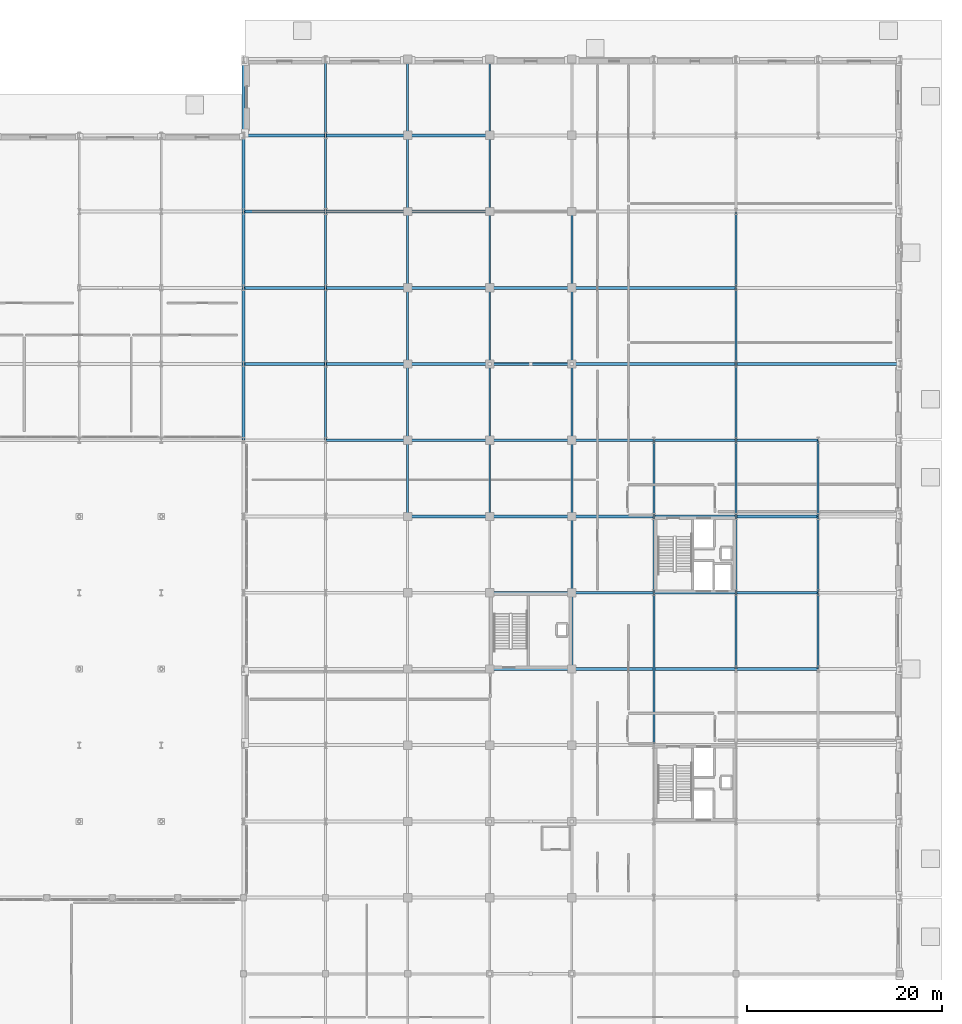
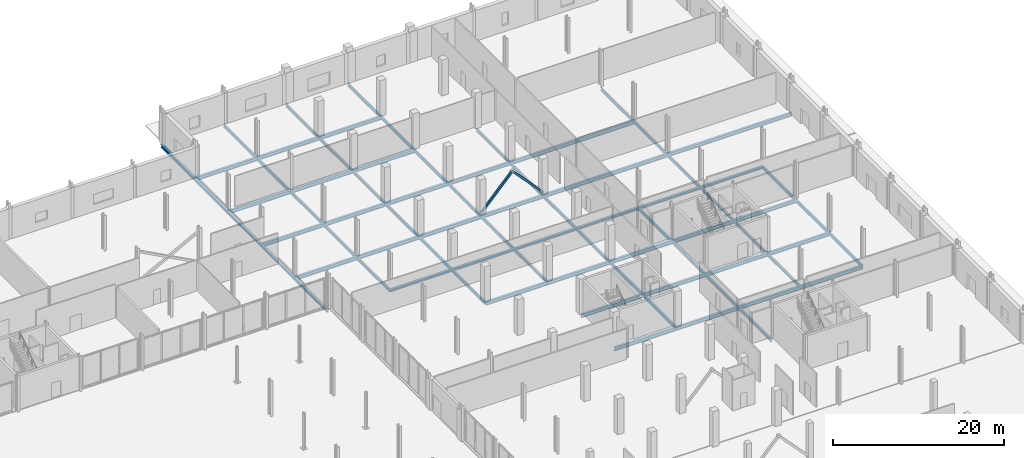
# One storey, part 39 of 80: 75 beams, 2 members.
"""IFC4 building model written with IfcOpenShell, lengths in metres."""

from ifc_helpers import new_model, si_unit, direction, frame, origin, origin_2d, place, context, subcontext, project, spatial, hollow_rectangle, i_section, extrude, material, material_profile, profile_set, type_object, element, save


model = new_model("IFC4")

# Units and contexts
model_context = context("Model", 3, precision=1e-05, world=origin(), true_north=direction((0.0, 1.0)))
body_context = subcontext(model_context, "Body", "Model", "MODEL_VIEW")
ifc_project = project(units=[si_unit("LENGTHUNIT", "METRE"), si_unit("AREAUNIT", "SQUARE_METRE"), si_unit("VOLUMEUNIT", "CUBIC_METRE"), si_unit("PLANEANGLEUNIT", "RADIAN"), si_unit("MASSUNIT", "GRAM", prefix="KILO")], contexts=[model_context])

# Site, building, storey
site_placement = place(None, origin())
site = spatial("IfcSite", under=ifc_project, at=site_placement, CompositionType="ELEMENT")
building_placement = place(site_placement, origin())
building = spatial("IfcBuilding", under=site, at=building_placement, Name="Nabrawat Pavilion Hospital", CompositionType="ELEMENT")
storey_placement = place(building_placement, origin())
storey = spatial("IfcBuildingStorey", under=building, at=storey_placement, Name="L00", CompositionType="ELEMENT", Elevation=0.0)

# Members
ifc_material = material(Name="Steel S355", Category="steel")
ifc_material_profile_1 = material_profile(ifc_material, hollow_rectangle(XDim=0.25, YDim=0.25, WallThickness=0.012451171875, at=origin_2d()), Name="SHS 250x250x12.5")
ifc_profile_set_1 = profile_set([ifc_material_profile_1], Name="Steel S355")
member_type = type_object("IfcMemberType", Name="Lower Seismic Chevron Brace SHS 250x250x12.5", PredefinedType="BRACE", material=ifc_profile_set_1)
for number, where, z_axis, x_axis, name in (
    (1, (151.199951171875, 93.60009765625, 0.050048828125), (0.682314010889, 0.0, 0.73105922506), (0.0, 1.0, 0.0), "L00 Seismic Concentric Chevron Brace 067"),
    (2, (159.60009765625, 93.60009765625, 0.050048828125), (-0.682335207557, 0.0, 0.731039441158), (0.0, -1.0, 0.0), "L00 Seismic Concentric Chevron Brace 068"),
):
    element("IfcMember", number, at=place(storey_placement, frame(where, z_axis=z_axis, x_axis=x_axis)), inside=storey, type_object=member_type, Name=name, PredefinedType="BRACE", context=body_context, shape_type="SweptSolid", body=[
        extrude(hollow_rectangle(XDim=0.25, YDim=0.25, WallThickness=0.012451171875, at=origin_2d()), origin(), (0.0, 0.0, 1.0), 6.155517578125),
    ])

# Beams
ifc_material_profile_2 = material_profile(ifc_material, i_section(OverallWidth=0.300048828125, OverallDepth=0.389892578125, WebThickness=0.010986328125, FlangeThickness=0.01904296875, FilletRadius=0.027099609375, at=origin_2d()), Name="HEA 400")
ifc_profile_set_2 = profile_set([ifc_material_profile_2], Name="Steel S355")
beam_type_1 = type_object("IfcBeamType", Name="Perimeter Moment Spandrel Beam HEA 400", PredefinedType="SPANDREL", material=ifc_profile_set_2)
beam_1_placement = place(storey_placement, frame((126.0, 85.820068359375, -0.47509765625), z_axis=(0.0, 1.0, 0.0), x_axis=(-1.0, 0.0, 0.0)))
element("IfcBeam", 3, at=beam_1_placement, inside=storey, type_object=beam_type_1, Name="L00 Primary Y Beam 331", PredefinedType="SPANDREL", context=body_context, shape_type="SweptSolid", body=[
    extrude(i_section(OverallWidth=0.300048828125, OverallDepth=0.389892578125, WebThickness=0.010986328125, FlangeThickness=0.01904296875, FilletRadius=0.027099609375, at=origin_2d()), origin(), (0.0, 0.0, 1.0), 7.760009765625),
])
beam_2_placement = place(storey_placement, frame((126.0, 93.6201171875, -0.47509765625), z_axis=(0.0, 1.0, 0.0), x_axis=(-1.0, 0.0, 0.0)))
element("IfcBeam", 4, at=beam_2_placement, inside=storey, type_object=beam_type_1, Name="L00 Primary Y Beam 332", PredefinedType="SPANDREL", context=body_context, shape_type="SweptSolid", body=[
    extrude(i_section(OverallWidth=0.300048828125, OverallDepth=0.389892578125, WebThickness=0.010986328125, FlangeThickness=0.01904296875, FilletRadius=0.027099609375, at=origin_2d()), origin(), (0.0, 0.0, 1.0), 7.759765625),
])
for number, where, z_axis, x_axis, name in (
    (5, (126.0, 101.419921875, -0.47509765625), (0.0, 1.0, 0.0), (-1.0, 0.0, 0.0), "L00 Primary Y Beam 333"),
    (6, (126.0, 109.219970703125, -0.47509765625), (0.0, 1.0, 0.0), (-1.0, 0.0, 0.0), "L00 Primary Y Beam 334"),
    (7, (126.0, 117.02001953125, -0.445068359375), (0.0, 1.0, 0.0), (-1.0, 0.0, 0.0), "L00 Primary Y Beam 335"),
):
    element("IfcBeam", number, at=place(storey_placement, frame(where, z_axis=z_axis, x_axis=x_axis)), inside=storey, type_object=beam_type_1, Name=name, PredefinedType="SPANDREL", context=body_context, shape_type="SweptSolid", body=[
        extrude(i_section(OverallWidth=0.300048828125, OverallDepth=0.389892578125, WebThickness=0.010986328125, FlangeThickness=0.01904296875, FilletRadius=0.027099609375, at=origin_2d()), origin(), (0.0, 0.0, 1.0), 7.760009765625),
    ])
ifc_material_profile_3 = material_profile(ifc_material, i_section(OverallWidth=0.300048828125, OverallDepth=0.5, WebThickness=0.014404296875, FlangeThickness=0.028076171875, FilletRadius=0.027099609375, at=origin_2d()), Name="HEB 500")
ifc_profile_set_3 = profile_set([ifc_material_profile_3], Name="Steel S355")
beam_type_2 = type_object("IfcBeamType", Name="Primary Floor Girder HEB 500", PredefinedType="USERDEFINED", material=ifc_profile_set_3)
beam_3_placement = place(storey_placement, frame((151.219970703125, 62.39990234375, -0.5), z_axis=(1.0, 0.0, 0.0), x_axis=(0.0, 1.0, 0.0)))
element("IfcBeam", 8, at=beam_3_placement, inside=storey, type_object=beam_type_2, Name="L00 Primary X Girder 117", ObjectType="GIRDER", PredefinedType="USERDEFINED", context=body_context, shape_type="SweptSolid", body=[
    extrude(i_section(OverallWidth=0.300048828125, OverallDepth=0.5, WebThickness=0.014404296875, FlangeThickness=0.028076171875, FilletRadius=0.027099609375, at=origin_2d()), origin(), (0.0, 0.0, 1.0), 8.360107421875),
])
beam_4_placement = place(storey_placement, frame((159.6201171875, 62.39990234375, -0.5), z_axis=(1.0, 0.0, 0.0), x_axis=(0.0, 1.0, 0.0)))
element("IfcBeam", 9, at=beam_4_placement, inside=storey, type_object=beam_type_2, Name="L00 Primary X Girder 118", ObjectType="GIRDER", PredefinedType="USERDEFINED", context=body_context, shape_type="SweptSolid", body=[
    extrude(i_section(OverallWidth=0.300048828125, OverallDepth=0.5, WebThickness=0.014404296875, FlangeThickness=0.028076171875, FilletRadius=0.027099609375, at=origin_2d()), origin(), (0.0, 0.0, 1.0), 16.759765625),
])
for number, where, z_axis, x_axis, name in (
    (10, (176.419921875, 62.39990234375, -0.5), (1.0, 0.0, 0.0), (0.0, 1.0, 0.0), "L00 Primary X Girder 119"),
    (11, (151.219970703125, 70.199951171875, -0.5), (1.0, 0.0, 0.0), (0.0, 1.0, 0.0), "L00 Primary X Girder 126"),
):
    element("IfcBeam", number, at=place(storey_placement, frame(where, z_axis=z_axis, x_axis=x_axis)), inside=storey, type_object=beam_type_2, Name=name, ObjectType="GIRDER", PredefinedType="USERDEFINED", context=body_context, shape_type="SweptSolid", body=[
        extrude(i_section(OverallWidth=0.300048828125, OverallDepth=0.5, WebThickness=0.014404296875, FlangeThickness=0.028076171875, FilletRadius=0.027099609375, at=origin_2d()), origin(), (0.0, 0.0, 1.0), 8.360107421875),
    ])
for number, where, z_axis, x_axis, name in (
    (12, (159.6201171875, 70.199951171875, -0.5), (1.0, 0.0, 0.0), (0.0, 1.0, 0.0), "L00 Primary X Girder 127"),
    (13, (168.02001953125, 70.199951171875, -0.5), (1.0, 0.0, 0.0), (0.0, 1.0, 0.0), "L00 Primary X Girder 128"),
):
    element("IfcBeam", number, at=place(storey_placement, frame(where, z_axis=z_axis, x_axis=x_axis)), inside=storey, type_object=beam_type_2, Name=name, ObjectType="GIRDER", PredefinedType="USERDEFINED", context=body_context, shape_type="SweptSolid", body=[
        extrude(i_section(OverallWidth=0.300048828125, OverallDepth=0.5, WebThickness=0.014404296875, FlangeThickness=0.028076171875, FilletRadius=0.027099609375, at=origin_2d()), origin(), (0.0, 0.0, 1.0), 8.35986328125),
    ])
beam_5_placement = place(storey_placement, frame((176.419921875, 70.199951171875, -0.5), z_axis=(1.0, 0.0, 0.0), x_axis=(0.0, 1.0, 0.0)))
element("IfcBeam", 14, at=beam_5_placement, inside=storey, type_object=beam_type_2, Name="L00 Primary X Girder 129", ObjectType="GIRDER", PredefinedType="USERDEFINED", context=body_context, shape_type="SweptSolid", body=[
    extrude(i_section(OverallWidth=0.300048828125, OverallDepth=0.5, WebThickness=0.014404296875, FlangeThickness=0.028076171875, FilletRadius=0.027099609375, at=origin_2d()), origin(), (0.0, 0.0, 1.0), 8.360107421875),
])
beam_6_placement = place(storey_placement, frame((142.820068359375, 78.0, -0.5), z_axis=(1.0, 0.0, 0.0), x_axis=(0.0, 1.0, 0.0)))
element("IfcBeam", 15, at=beam_6_placement, inside=storey, type_object=beam_type_2, Name="L00 Primary X Girder 135", ObjectType="GIRDER", PredefinedType="USERDEFINED", context=body_context, shape_type="SweptSolid", body=[
    extrude(i_section(OverallWidth=0.300048828125, OverallDepth=0.5, WebThickness=0.014404296875, FlangeThickness=0.028076171875, FilletRadius=0.027099609375, at=origin_2d()), origin(), (0.0, 0.0, 1.0), 8.35986328125),
])
beam_7_placement = place(storey_placement, frame((151.219970703125, 78.0, -0.5), z_axis=(1.0, 0.0, 0.0), x_axis=(0.0, 1.0, 0.0)))
element("IfcBeam", 16, at=beam_7_placement, inside=storey, type_object=beam_type_2, Name="L00 Primary X Girder 136", ObjectType="GIRDER", PredefinedType="USERDEFINED", context=body_context, shape_type="SweptSolid", body=[
    extrude(i_section(OverallWidth=0.300048828125, OverallDepth=0.5, WebThickness=0.014404296875, FlangeThickness=0.028076171875, FilletRadius=0.027099609375, at=origin_2d()), origin(), (0.0, 0.0, 1.0), 8.360107421875),
])
for number, where, z_axis, x_axis, name in (
    (17, (159.6201171875, 78.0, -0.5), (1.0, 0.0, 0.0), (0.0, 1.0, 0.0), "L00 Primary X Girder 137"),
    (18, (168.02001953125, 78.0, -0.5), (1.0, 0.0, 0.0), (0.0, 1.0, 0.0), "L00 Primary X Girder 138"),
):
    element("IfcBeam", number, at=place(storey_placement, frame(where, z_axis=z_axis, x_axis=x_axis)), inside=storey, type_object=beam_type_2, Name=name, ObjectType="GIRDER", PredefinedType="USERDEFINED", context=body_context, shape_type="SweptSolid", body=[
        extrude(i_section(OverallWidth=0.300048828125, OverallDepth=0.5, WebThickness=0.014404296875, FlangeThickness=0.028076171875, FilletRadius=0.027099609375, at=origin_2d()), origin(), (0.0, 0.0, 1.0), 8.35986328125),
    ])
beam_8_placement = place(storey_placement, frame((176.419921875, 78.0, -0.5), z_axis=(1.0, 0.0, 0.0), x_axis=(0.0, 1.0, 0.0)))
element("IfcBeam", 19, at=beam_8_placement, inside=storey, type_object=beam_type_2, Name="L00 Primary X Girder 139", ObjectType="GIRDER", PredefinedType="USERDEFINED", context=body_context, shape_type="SweptSolid", body=[
    extrude(i_section(OverallWidth=0.300048828125, OverallDepth=0.5, WebThickness=0.014404296875, FlangeThickness=0.028076171875, FilletRadius=0.027099609375, at=origin_2d()), origin(), (0.0, 0.0, 1.0), 8.360107421875),
])
beam_9_placement = place(storey_placement, frame((126.02001953125, 93.60009765625, -0.5), z_axis=(1.0, 0.0, 0.0), x_axis=(0.0, 1.0, 0.0)))
element("IfcBeam", 20, at=beam_9_placement, inside=storey, type_object=beam_type_2, Name="L00 Primary X Girder 174", ObjectType="GIRDER", PredefinedType="USERDEFINED", context=body_context, shape_type="SweptSolid", body=[
    extrude(i_section(OverallWidth=0.300048828125, OverallDepth=0.5, WebThickness=0.014404296875, FlangeThickness=0.028076171875, FilletRadius=0.027099609375, at=origin_2d()), origin(), (0.0, 0.0, 1.0), 8.35986328125),
])
beam_10_placement = place(storey_placement, frame((134.419921875, 93.60009765625, -0.5), z_axis=(1.0, 0.0, 0.0), x_axis=(0.0, 1.0, 0.0)))
element("IfcBeam", 21, at=beam_10_placement, inside=storey, type_object=beam_type_2, Name="L00 Primary X Girder 175", ObjectType="GIRDER", PredefinedType="USERDEFINED", context=body_context, shape_type="SweptSolid", body=[
    extrude(i_section(OverallWidth=0.300048828125, OverallDepth=0.5, WebThickness=0.014404296875, FlangeThickness=0.028076171875, FilletRadius=0.027099609375, at=origin_2d()), origin(), (0.0, 0.0, 1.0), 8.360107421875),
])
beam_11_placement = place(storey_placement, frame((142.820068359375, 93.60009765625, -0.5), z_axis=(1.0, 0.0, 0.0), x_axis=(0.0, 1.0, 0.0)))
element("IfcBeam", 22, at=beam_11_placement, inside=storey, type_object=beam_type_2, Name="L00 Primary X Girder 176", ObjectType="GIRDER", PredefinedType="USERDEFINED", context=body_context, shape_type="SweptSolid", body=[
    extrude(i_section(OverallWidth=0.300048828125, OverallDepth=0.5, WebThickness=0.014404296875, FlangeThickness=0.028076171875, FilletRadius=0.027099609375, at=origin_2d()), origin(), (0.0, 0.0, 1.0), 8.35986328125),
])
beam_12_placement = place(storey_placement, frame((151.219970703125, 93.60009765625, -0.5), z_axis=(1.0, 0.0, 0.0), x_axis=(0.0, 1.0, 0.0)))
element("IfcBeam", 23, at=beam_12_placement, inside=storey, type_object=beam_type_2, Name="L00 Primary X Girder 177", ObjectType="GIRDER", PredefinedType="USERDEFINED", context=body_context, shape_type="SweptSolid", body=[
    extrude(i_section(OverallWidth=0.300048828125, OverallDepth=0.5, WebThickness=0.014404296875, FlangeThickness=0.028076171875, FilletRadius=0.027099609375, at=origin_2d()), origin(), (0.0, 0.0, 1.0), 8.360107421875),
])
beam_13_placement = place(storey_placement, frame((159.6201171875, 93.60009765625, -0.5), z_axis=(1.0, 0.0, 0.0), x_axis=(0.0, 1.0, 0.0)))
element("IfcBeam", 24, at=beam_13_placement, inside=storey, type_object=beam_type_2, Name="L00 Primary X Girder 178", ObjectType="GIRDER", PredefinedType="USERDEFINED", context=body_context, shape_type="SweptSolid", body=[
    extrude(i_section(OverallWidth=0.300048828125, OverallDepth=0.5, WebThickness=0.014404296875, FlangeThickness=0.028076171875, FilletRadius=0.027099609375, at=origin_2d()), origin(), (0.0, 0.0, 1.0), 16.759765625),
])
beam_14_placement = place(storey_placement, frame((176.419921875, 93.60009765625, -0.5), z_axis=(1.0, 0.0, 0.0), x_axis=(0.0, 1.0, 0.0)))
element("IfcBeam", 25, at=beam_14_placement, inside=storey, type_object=beam_type_2, Name="L00 Primary X Girder 179", ObjectType="GIRDER", PredefinedType="USERDEFINED", context=body_context, shape_type="SweptSolid", body=[
    extrude(i_section(OverallWidth=0.300048828125, OverallDepth=0.5, WebThickness=0.014404296875, FlangeThickness=0.028076171875, FilletRadius=0.027099609375, at=origin_2d()), origin(), (0.0, 0.0, 1.0), 16.760009765625),
])
beam_15_placement = place(storey_placement, frame((126.02001953125, 101.39990234375, -0.5), z_axis=(1.0, 0.0, 0.0), x_axis=(0.0, 1.0, 0.0)))
element("IfcBeam", 26, at=beam_15_placement, inside=storey, type_object=beam_type_2, Name="L00 Primary X Girder 187", ObjectType="GIRDER", PredefinedType="USERDEFINED", context=body_context, shape_type="SweptSolid", body=[
    extrude(i_section(OverallWidth=0.300048828125, OverallDepth=0.5, WebThickness=0.014404296875, FlangeThickness=0.028076171875, FilletRadius=0.027099609375, at=origin_2d()), origin(), (0.0, 0.0, 1.0), 8.35986328125),
])
beam_16_placement = place(storey_placement, frame((134.419921875, 101.39990234375, -0.5), z_axis=(1.0, 0.0, 0.0), x_axis=(0.0, 1.0, 0.0)))
element("IfcBeam", 27, at=beam_16_placement, inside=storey, type_object=beam_type_2, Name="L00 Primary X Girder 188", ObjectType="GIRDER", PredefinedType="USERDEFINED", context=body_context, shape_type="SweptSolid", body=[
    extrude(i_section(OverallWidth=0.300048828125, OverallDepth=0.5, WebThickness=0.014404296875, FlangeThickness=0.028076171875, FilletRadius=0.027099609375, at=origin_2d()), origin(), (0.0, 0.0, 1.0), 8.360107421875),
])
beam_17_placement = place(storey_placement, frame((142.820068359375, 101.39990234375, -0.5), z_axis=(1.0, 0.0, 0.0), x_axis=(0.0, 1.0, 0.0)))
element("IfcBeam", 28, at=beam_17_placement, inside=storey, type_object=beam_type_2, Name="L00 Primary X Girder 189", ObjectType="GIRDER", PredefinedType="USERDEFINED", context=body_context, shape_type="SweptSolid", body=[
    extrude(i_section(OverallWidth=0.300048828125, OverallDepth=0.5, WebThickness=0.014404296875, FlangeThickness=0.028076171875, FilletRadius=0.027099609375, at=origin_2d()), origin(), (0.0, 0.0, 1.0), 8.35986328125),
])
beam_18_placement = place(storey_placement, frame((151.219970703125, 101.39990234375, -0.5), z_axis=(1.0, 0.0, 0.0), x_axis=(0.0, 1.0, 0.0)))
element("IfcBeam", 29, at=beam_18_placement, inside=storey, type_object=beam_type_2, Name="L00 Primary X Girder 190", ObjectType="GIRDER", PredefinedType="USERDEFINED", context=body_context, shape_type="SweptSolid", body=[
    extrude(i_section(OverallWidth=0.300048828125, OverallDepth=0.5, WebThickness=0.014404296875, FlangeThickness=0.028076171875, FilletRadius=0.027099609375, at=origin_2d()), origin(), (0.0, 0.0, 1.0), 8.360107421875),
])
beam_19_placement = place(storey_placement, frame((159.6201171875, 101.39990234375, -0.5), z_axis=(1.0, 0.0, 0.0), x_axis=(0.0, 1.0, 0.0)))
element("IfcBeam", 30, at=beam_19_placement, inside=storey, type_object=beam_type_2, Name="L00 Primary X Girder 191", ObjectType="GIRDER", PredefinedType="USERDEFINED", context=body_context, shape_type="SweptSolid", body=[
    extrude(i_section(OverallWidth=0.300048828125, OverallDepth=0.5, WebThickness=0.014404296875, FlangeThickness=0.028076171875, FilletRadius=0.027099609375, at=origin_2d()), origin(), (0.0, 0.0, 1.0), 16.759765625),
])
beam_20_placement = place(storey_placement, frame((126.02001953125, 109.199951171875, -0.5), z_axis=(1.0, 0.0, 0.0), x_axis=(0.0, 1.0, 0.0)))
element("IfcBeam", 31, at=beam_20_placement, inside=storey, type_object=beam_type_2, Name="L00 Primary X Girder 199", ObjectType="GIRDER", PredefinedType="USERDEFINED", context=body_context, shape_type="SweptSolid", body=[
    extrude(i_section(OverallWidth=0.300048828125, OverallDepth=0.5, WebThickness=0.014404296875, FlangeThickness=0.028076171875, FilletRadius=0.027099609375, at=origin_2d()), origin(), (0.0, 0.0, 1.0), 8.35986328125),
])
beam_21_placement = place(storey_placement, frame((134.419921875, 109.199951171875, -0.5), z_axis=(1.0, 0.0, 0.0), x_axis=(0.0, 1.0, 0.0)))
element("IfcBeam", 32, at=beam_21_placement, inside=storey, type_object=beam_type_2, Name="L00 Primary X Girder 200", ObjectType="GIRDER", PredefinedType="USERDEFINED", context=body_context, shape_type="SweptSolid", body=[
    extrude(i_section(OverallWidth=0.300048828125, OverallDepth=0.5, WebThickness=0.014404296875, FlangeThickness=0.028076171875, FilletRadius=0.027099609375, at=origin_2d()), origin(), (0.0, 0.0, 1.0), 8.360107421875),
])
for number, where, z_axis, x_axis, name in (
    (33, (142.820068359375, 109.199951171875, -0.5), (1.0, 0.0, 0.0), (0.0, 1.0, 0.0), "L00 Primary X Girder 201"),
    (34, (126.02001953125, 117.0, -0.5), (1.0, 0.0, 0.0), (0.0, 1.0, 0.0), "L00 Primary X Girder 220"),
):
    element("IfcBeam", number, at=place(storey_placement, frame(where, z_axis=z_axis, x_axis=x_axis)), inside=storey, type_object=beam_type_2, Name=name, ObjectType="GIRDER", PredefinedType="USERDEFINED", context=body_context, shape_type="SweptSolid", body=[
        extrude(i_section(OverallWidth=0.300048828125, OverallDepth=0.5, WebThickness=0.014404296875, FlangeThickness=0.028076171875, FilletRadius=0.027099609375, at=origin_2d()), origin(), (0.0, 0.0, 1.0), 8.35986328125),
    ])
beam_22_placement = place(storey_placement, frame((134.419921875, 117.0, -0.5), z_axis=(1.0, 0.0, 0.0), x_axis=(0.0, 1.0, 0.0)))
element("IfcBeam", 35, at=beam_22_placement, inside=storey, type_object=beam_type_2, Name="L00 Primary X Girder 221", ObjectType="GIRDER", PredefinedType="USERDEFINED", context=body_context, shape_type="SweptSolid", body=[
    extrude(i_section(OverallWidth=0.300048828125, OverallDepth=0.5, WebThickness=0.014404296875, FlangeThickness=0.028076171875, FilletRadius=0.027099609375, at=origin_2d()), origin(), (0.0, 0.0, 1.0), 8.360107421875),
])
beam_23_placement = place(storey_placement, frame((142.820068359375, 117.0, -0.5), z_axis=(1.0, 0.0, 0.0), x_axis=(0.0, 1.0, 0.0)))
element("IfcBeam", 36, at=beam_23_placement, inside=storey, type_object=beam_type_2, Name="L00 Primary X Girder 222", ObjectType="GIRDER", PredefinedType="USERDEFINED", context=body_context, shape_type="SweptSolid", body=[
    extrude(i_section(OverallWidth=0.300048828125, OverallDepth=0.5, WebThickness=0.014404296875, FlangeThickness=0.028076171875, FilletRadius=0.027099609375, at=origin_2d()), origin(), (0.0, 0.0, 1.0), 8.35986328125),
])
ifc_material_profile_4 = material_profile(ifc_material, i_section(OverallWidth=0.18994140625, OverallDepth=0.449951171875, WebThickness=0.009521484375, FlangeThickness=0.0146484375, FilletRadius=0.02099609375, at=origin_2d()), Name="IPE 450")
ifc_profile_set_4 = profile_set([ifc_material_profile_4], Name="Steel S355")
beam_type_3 = type_object("IfcBeamType", Name="Primary Y Floor Beam IPE 450", PredefinedType="BEAM", material=ifc_profile_set_4)
beam_24_placement = place(storey_placement, frame((134.39990234375, 85.820068359375, -0.47509765625), z_axis=(0.0, 1.0, 0.0), x_axis=(-1.0, 0.0, 0.0)))
element("IfcBeam", 37, at=beam_24_placement, inside=storey, type_object=beam_type_3, Name="L00 Primary Y Beam 347", PredefinedType="BEAM", context=body_context, shape_type="SweptSolid", body=[
    extrude(i_section(OverallWidth=0.18994140625, OverallDepth=0.449951171875, WebThickness=0.009521484375, FlangeThickness=0.0146484375, FilletRadius=0.02099609375, at=origin_2d()), origin(), (0.0, 0.0, 1.0), 7.760009765625),
])
beam_25_placement = place(storey_placement, frame((134.39990234375, 93.6201171875, -0.47509765625), z_axis=(0.0, 1.0, 0.0), x_axis=(-1.0, 0.0, 0.0)))
element("IfcBeam", 38, at=beam_25_placement, inside=storey, type_object=beam_type_3, Name="L00 Primary Y Beam 348", PredefinedType="BEAM", context=body_context, shape_type="SweptSolid", body=[
    extrude(i_section(OverallWidth=0.18994140625, OverallDepth=0.449951171875, WebThickness=0.009521484375, FlangeThickness=0.0146484375, FilletRadius=0.02099609375, at=origin_2d()), origin(), (0.0, 0.0, 1.0), 7.759765625),
])
for number, where, z_axis, x_axis, name in (
    (39, (134.39990234375, 101.419921875, -0.47509765625), (0.0, 1.0, 0.0), (-1.0, 0.0, 0.0), "L00 Primary Y Beam 349"),
    (40, (134.39990234375, 109.219970703125, -0.47509765625), (0.0, 1.0, 0.0), (-1.0, 0.0, 0.0), "L00 Primary Y Beam 350"),
    (41, (134.39990234375, 117.02001953125, -0.47509765625), (0.0, 1.0, 0.0), (-1.0, 0.0, 0.0), "L00 Primary Y Beam 351"),
    (42, (142.800048828125, 78.02001953125, -0.47509765625), (0.0, 1.0, 0.0), (-1.0, 0.0, 0.0), "L00 Primary Y Beam 362"),
    (43, (142.800048828125, 85.820068359375, -0.47509765625), (0.0, 1.0, 0.0), (-1.0, 0.0, 0.0), "L00 Primary Y Beam 363"),
):
    element("IfcBeam", number, at=place(storey_placement, frame(where, z_axis=z_axis, x_axis=x_axis)), inside=storey, type_object=beam_type_3, Name=name, PredefinedType="BEAM", context=body_context, shape_type="SweptSolid", body=[
        extrude(i_section(OverallWidth=0.18994140625, OverallDepth=0.449951171875, WebThickness=0.009521484375, FlangeThickness=0.0146484375, FilletRadius=0.02099609375, at=origin_2d()), origin(), (0.0, 0.0, 1.0), 7.760009765625),
    ])
beam_26_placement = place(storey_placement, frame((142.800048828125, 93.6201171875, -0.47509765625), z_axis=(0.0, 1.0, 0.0), x_axis=(-1.0, 0.0, 0.0)))
element("IfcBeam", 44, at=beam_26_placement, inside=storey, type_object=beam_type_3, Name="L00 Primary Y Beam 364", PredefinedType="BEAM", context=body_context, shape_type="SweptSolid", body=[
    extrude(i_section(OverallWidth=0.18994140625, OverallDepth=0.449951171875, WebThickness=0.009521484375, FlangeThickness=0.0146484375, FilletRadius=0.02099609375, at=origin_2d()), origin(), (0.0, 0.0, 1.0), 7.759765625),
])
for number, where, z_axis, x_axis, name in (
    (45, (142.800048828125, 101.419921875, -0.47509765625), (0.0, 1.0, 0.0), (-1.0, 0.0, 0.0), "L00 Primary Y Beam 365"),
    (46, (142.800048828125, 109.219970703125, -0.47509765625), (0.0, 1.0, 0.0), (-1.0, 0.0, 0.0), "L00 Primary Y Beam 366"),
    (47, (142.800048828125, 117.02001953125, -0.47509765625), (0.0, 1.0, 0.0), (-1.0, 0.0, 0.0), "L00 Primary Y Beam 367"),
    (48, (151.199951171875, 78.02001953125, -0.47509765625), (0.0, 1.0, 0.0), (-1.0, 0.0, 0.0), "L00 Primary Y Beam 378"),
    (49, (151.199951171875, 85.820068359375, -0.47509765625), (0.0, 1.0, 0.0), (-1.0, 0.0, 0.0), "L00 Primary Y Beam 379"),
):
    element("IfcBeam", number, at=place(storey_placement, frame(where, z_axis=z_axis, x_axis=x_axis)), inside=storey, type_object=beam_type_3, Name=name, PredefinedType="BEAM", context=body_context, shape_type="SweptSolid", body=[
        extrude(i_section(OverallWidth=0.18994140625, OverallDepth=0.449951171875, WebThickness=0.009521484375, FlangeThickness=0.0146484375, FilletRadius=0.02099609375, at=origin_2d()), origin(), (0.0, 0.0, 1.0), 7.760009765625),
    ])
beam_27_placement = place(storey_placement, frame((151.199951171875, 93.6201171875, -0.47509765625), z_axis=(0.0, 1.0, 0.0), x_axis=(-1.0, 0.0, 0.0)))
element("IfcBeam", 50, at=beam_27_placement, inside=storey, type_object=beam_type_3, Name="L00 Primary Y Beam 380", PredefinedType="BEAM", context=body_context, shape_type="SweptSolid", body=[
    extrude(i_section(OverallWidth=0.18994140625, OverallDepth=0.449951171875, WebThickness=0.009521484375, FlangeThickness=0.0146484375, FilletRadius=0.02099609375, at=origin_2d()), origin(), (0.0, 0.0, 1.0), 7.759765625),
])
for number, where, z_axis, x_axis, name in (
    (51, (151.199951171875, 101.419921875, -0.47509765625), (0.0, 1.0, 0.0), (-1.0, 0.0, 0.0), "L00 Primary Y Beam 381"),
    (52, (151.199951171875, 109.219970703125, -0.47509765625), (0.0, 1.0, 0.0), (-1.0, 0.0, 0.0), "L00 Primary Y Beam 382"),
    (53, (151.199951171875, 117.02001953125, -0.47509765625), (0.0, 1.0, 0.0), (-1.0, 0.0, 0.0), "L00 Primary Y Beam 383"),
    (54, (159.60009765625, 62.419921875, -0.47509765625), (0.0, 1.0, 0.0), (-1.0, 0.0, 0.0), "L00 Primary Y Beam 392"),
    (55, (159.60009765625, 70.219970703125, -0.47509765625), (0.0, 1.0, 0.0), (-1.0, 0.0, 0.0), "L00 Primary Y Beam 393"),
    (56, (159.60009765625, 78.02001953125, -0.47509765625), (0.0, 1.0, 0.0), (-1.0, 0.0, 0.0), "L00 Primary Y Beam 394"),
    (57, (159.60009765625, 85.820068359375, -0.47509765625), (0.0, 1.0, 0.0), (-1.0, 0.0, 0.0), "L00 Primary Y Beam 395"),
):
    element("IfcBeam", number, at=place(storey_placement, frame(where, z_axis=z_axis, x_axis=x_axis)), inside=storey, type_object=beam_type_3, Name=name, PredefinedType="BEAM", context=body_context, shape_type="SweptSolid", body=[
        extrude(i_section(OverallWidth=0.18994140625, OverallDepth=0.449951171875, WebThickness=0.009521484375, FlangeThickness=0.0146484375, FilletRadius=0.02099609375, at=origin_2d()), origin(), (0.0, 0.0, 1.0), 7.760009765625),
    ])
beam_28_placement = place(storey_placement, frame((159.60009765625, 93.6201171875, -0.47509765625), z_axis=(0.0, 1.0, 0.0), x_axis=(-1.0, 0.0, 0.0)))
element("IfcBeam", 58, at=beam_28_placement, inside=storey, type_object=beam_type_3, Name="L00 Primary Y Beam 396", PredefinedType="BEAM", context=body_context, shape_type="SweptSolid", body=[
    extrude(i_section(OverallWidth=0.18994140625, OverallDepth=0.449951171875, WebThickness=0.009521484375, FlangeThickness=0.0146484375, FilletRadius=0.02099609375, at=origin_2d()), origin(), (0.0, 0.0, 1.0), 7.759765625),
])
beam_29_placement = place(storey_placement, frame((159.60009765625, 101.419921875, -0.47509765625), z_axis=(0.0, 1.0, 0.0), x_axis=(-1.0, 0.0, 0.0)))
element("IfcBeam", 59, at=beam_29_placement, inside=storey, type_object=beam_type_3, Name="L00 Primary Y Beam 397", PredefinedType="BEAM", context=body_context, shape_type="SweptSolid", body=[
    extrude(i_section(OverallWidth=0.18994140625, OverallDepth=0.449951171875, WebThickness=0.009521484375, FlangeThickness=0.0146484375, FilletRadius=0.02099609375, at=origin_2d()), origin(), (0.0, 0.0, 1.0), 7.760009765625),
])
beam_30_placement = place(storey_placement, frame((168.0, 54.6201171875, -0.47509765625), z_axis=(0.0, 1.0, 0.0), x_axis=(-1.0, 0.0, 0.0)))
element("IfcBeam", 60, at=beam_30_placement, inside=storey, type_object=beam_type_3, Name="L00 Primary Y Beam 405", PredefinedType="BEAM", context=body_context, shape_type="SweptSolid", body=[
    extrude(i_section(OverallWidth=0.18994140625, OverallDepth=0.449951171875, WebThickness=0.009521484375, FlangeThickness=0.0146484375, FilletRadius=0.02099609375, at=origin_2d()), origin(), (0.0, 0.0, 1.0), 15.559814453125),
])
for number, where, z_axis, x_axis, name in (
    (61, (168.0, 70.219970703125, -0.47509765625), (0.0, 1.0, 0.0), (-1.0, 0.0, 0.0), "L00 Primary Y Beam 406"),
    (62, (168.0, 78.02001953125, -0.47509765625), (0.0, 1.0, 0.0), (-1.0, 0.0, 0.0), "L00 Primary Y Beam 407"),
    (63, (176.39990234375, 62.419921875, -0.47509765625), (0.0, 1.0, 0.0), (-1.0, 0.0, 0.0), "L00 Primary Y Beam 417"),
    (64, (176.39990234375, 70.219970703125, -0.47509765625), (0.0, 1.0, 0.0), (-1.0, 0.0, 0.0), "L00 Primary Y Beam 418"),
    (65, (176.39990234375, 78.02001953125, -0.47509765625), (0.0, 1.0, 0.0), (-1.0, 0.0, 0.0), "L00 Primary Y Beam 419"),
    (66, (176.39990234375, 85.820068359375, -0.47509765625), (0.0, 1.0, 0.0), (-1.0, 0.0, 0.0), "L00 Primary Y Beam 420"),
):
    element("IfcBeam", number, at=place(storey_placement, frame(where, z_axis=z_axis, x_axis=x_axis)), inside=storey, type_object=beam_type_3, Name=name, PredefinedType="BEAM", context=body_context, shape_type="SweptSolid", body=[
        extrude(i_section(OverallWidth=0.18994140625, OverallDepth=0.449951171875, WebThickness=0.009521484375, FlangeThickness=0.0146484375, FilletRadius=0.02099609375, at=origin_2d()), origin(), (0.0, 0.0, 1.0), 7.760009765625),
    ])
beam_31_placement = place(storey_placement, frame((176.39990234375, 93.6201171875, -0.47509765625), z_axis=(0.0, 1.0, 0.0), x_axis=(-1.0, 0.0, 0.0)))
element("IfcBeam", 67, at=beam_31_placement, inside=storey, type_object=beam_type_3, Name="L00 Primary Y Beam 421", PredefinedType="BEAM", context=body_context, shape_type="SweptSolid", body=[
    extrude(i_section(OverallWidth=0.18994140625, OverallDepth=0.449951171875, WebThickness=0.009521484375, FlangeThickness=0.0146484375, FilletRadius=0.02099609375, at=origin_2d()), origin(), (0.0, 0.0, 1.0), 7.759765625),
])
for number, where, z_axis, x_axis, name in (
    (68, (176.39990234375, 101.419921875, -0.47509765625), (0.0, 1.0, 0.0), (-1.0, 0.0, 0.0), "L00 Primary Y Beam 422"),
    (69, (184.800048828125, 62.419921875, -0.47509765625), (0.0, 1.0, 0.0), (-1.0, 0.0, 0.0), "L00 Primary Y Beam 429"),
    (70, (184.800048828125, 70.219970703125, -0.47509765625), (0.0, 1.0, 0.0), (-1.0, 0.0, 0.0), "L00 Primary Y Beam 430"),
    (71, (184.800048828125, 78.02001953125, -0.47509765625), (0.0, 1.0, 0.0), (-1.0, 0.0, 0.0), "L00 Primary Y Beam 431"),
):
    element("IfcBeam", number, at=place(storey_placement, frame(where, z_axis=z_axis, x_axis=x_axis)), inside=storey, type_object=beam_type_3, Name=name, PredefinedType="BEAM", context=body_context, shape_type="SweptSolid", body=[
        extrude(i_section(OverallWidth=0.18994140625, OverallDepth=0.449951171875, WebThickness=0.009521484375, FlangeThickness=0.0146484375, FilletRadius=0.02099609375, at=origin_2d()), origin(), (0.0, 0.0, 1.0), 7.760009765625),
    ])
ifc_material_profile_5 = material_profile(ifc_material, i_section(OverallWidth=0.300048828125, OverallDepth=0.340087890625, WebThickness=0.011962890625, FlangeThickness=0.021484375, FilletRadius=0.027099609375, at=origin_2d()), Name="HEB 340")
ifc_profile_set_5 = profile_set([ifc_material_profile_5], Name="Steel S355")
beam_type_4 = type_object("IfcBeamType", Name="Ward Perimeter Spandrel Beam HEB 340", PredefinedType="SPANDREL", material=ifc_profile_set_5)
beam_32_placement = place(storey_placement, frame((134.419921875, 85.800048828125, -0.419921875), z_axis=(1.0, 0.0, 0.0), x_axis=(0.0, 1.0, 0.0)))
element("IfcBeam", 72, at=beam_32_placement, inside=storey, type_object=beam_type_4, Name="L00 Primary X Girder 157", PredefinedType="SPANDREL", context=body_context, shape_type="SweptSolid", body=[
    extrude(i_section(OverallWidth=0.300048828125, OverallDepth=0.340087890625, WebThickness=0.011962890625, FlangeThickness=0.021484375, FilletRadius=0.027099609375, at=origin_2d()), origin(), (0.0, 0.0, 1.0), 8.360107421875),
])
beam_33_placement = place(storey_placement, frame((142.820068359375, 85.800048828125, -0.419921875), z_axis=(1.0, 0.0, 0.0), x_axis=(0.0, 1.0, 0.0)))
element("IfcBeam", 73, at=beam_33_placement, inside=storey, type_object=beam_type_4, Name="L00 Primary X Girder 158", PredefinedType="SPANDREL", context=body_context, shape_type="SweptSolid", body=[
    extrude(i_section(OverallWidth=0.300048828125, OverallDepth=0.340087890625, WebThickness=0.011962890625, FlangeThickness=0.021484375, FilletRadius=0.027099609375, at=origin_2d()), origin(), (0.0, 0.0, 1.0), 8.35986328125),
])
beam_34_placement = place(storey_placement, frame((151.219970703125, 85.800048828125, -0.419921875), z_axis=(1.0, 0.0, 0.0), x_axis=(0.0, 1.0, 0.0)))
element("IfcBeam", 74, at=beam_34_placement, inside=storey, type_object=beam_type_4, Name="L00 Primary X Girder 159", PredefinedType="SPANDREL", context=body_context, shape_type="SweptSolid", body=[
    extrude(i_section(OverallWidth=0.300048828125, OverallDepth=0.340087890625, WebThickness=0.011962890625, FlangeThickness=0.021484375, FilletRadius=0.027099609375, at=origin_2d()), origin(), (0.0, 0.0, 1.0), 8.360107421875),
])
for number, where, z_axis, x_axis, name in (
    (75, (159.6201171875, 85.800048828125, -0.419921875), (1.0, 0.0, 0.0), (0.0, 1.0, 0.0), "L00 Primary X Girder 160"),
    (76, (168.02001953125, 85.800048828125, -0.419921875), (1.0, 0.0, 0.0), (0.0, 1.0, 0.0), "L00 Primary X Girder 161"),
):
    element("IfcBeam", number, at=place(storey_placement, frame(where, z_axis=z_axis, x_axis=x_axis)), inside=storey, type_object=beam_type_4, Name=name, PredefinedType="SPANDREL", context=body_context, shape_type="SweptSolid", body=[
        extrude(i_section(OverallWidth=0.300048828125, OverallDepth=0.340087890625, WebThickness=0.011962890625, FlangeThickness=0.021484375, FilletRadius=0.027099609375, at=origin_2d()), origin(), (0.0, 0.0, 1.0), 8.35986328125),
    ])
beam_35_placement = place(storey_placement, frame((176.419921875, 85.800048828125, -0.419921875), z_axis=(1.0, 0.0, 0.0), x_axis=(0.0, 1.0, 0.0)))
element("IfcBeam", 77, at=beam_35_placement, inside=storey, type_object=beam_type_4, Name="L00 Primary X Girder 162", PredefinedType="SPANDREL", context=body_context, shape_type="SweptSolid", body=[
    extrude(i_section(OverallWidth=0.300048828125, OverallDepth=0.340087890625, WebThickness=0.011962890625, FlangeThickness=0.021484375, FilletRadius=0.027099609375, at=origin_2d()), origin(), (0.0, 0.0, 1.0), 8.360107421875),
])

save(model, "model.ifc")
